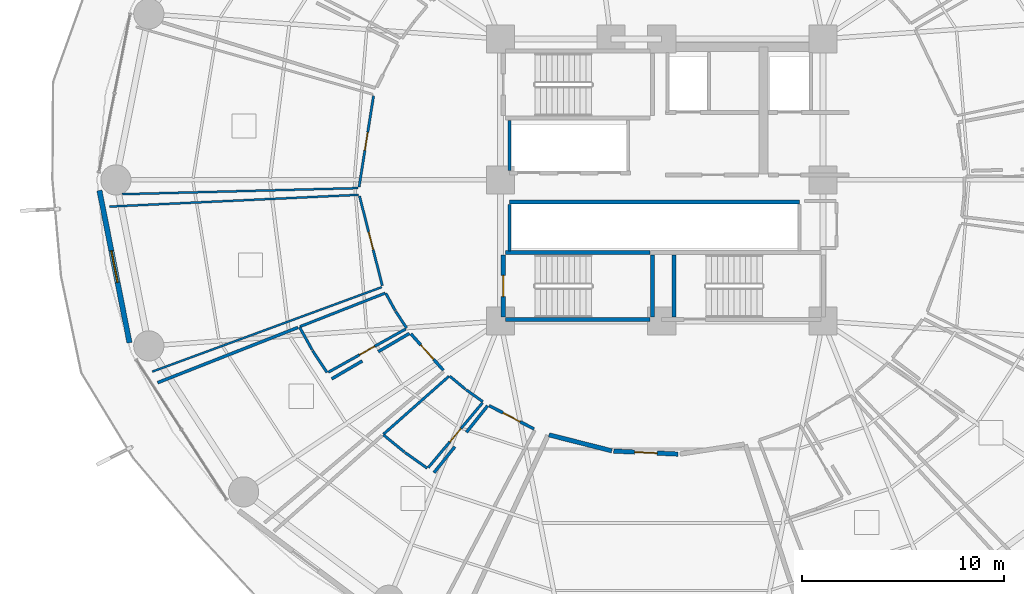
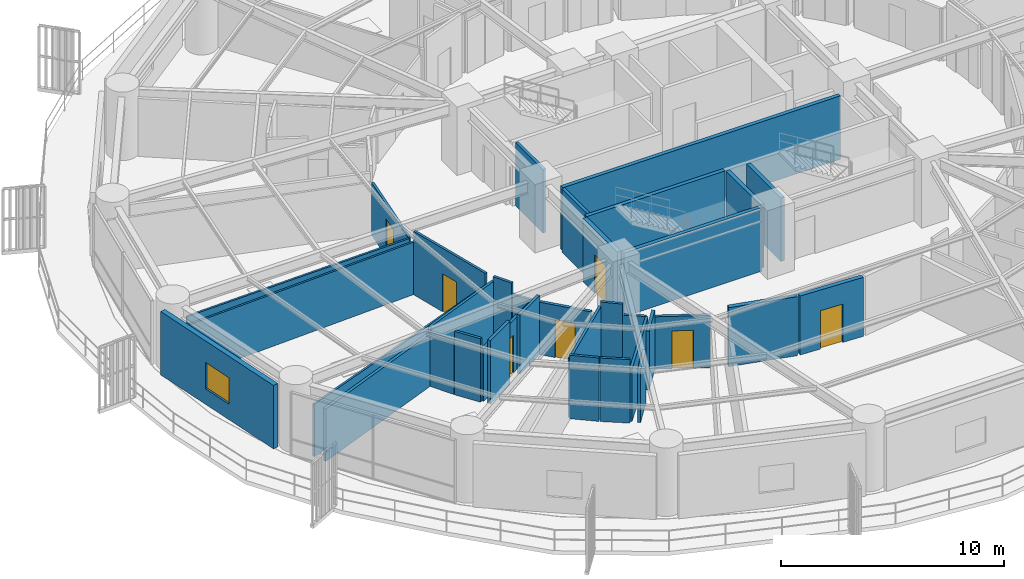
# One storey, part 23 of 33: 35 walls, 8 doors, 1 window, 9 openings.
"""IFC4 building model written with IfcOpenShell, lengths in metres."""

from ifc_helpers import new_model, si_unit, direction, frame, frame_2d, origin, place, context, subcontext, project, spatial, rectangle, extrude, material, layer, layer_set, type_object, element, fill, save


model = new_model("IFC4")

# Units and contexts
model_context = context("Model", 3, precision=1e-05, world=origin(), true_north=direction((0.0, 1.0)))
body_context = subcontext(model_context, "Body", "Model", "MODEL_VIEW")
ifc_project = project(units=[si_unit("LENGTHUNIT", "METRE"), si_unit("AREAUNIT", "SQUARE_METRE"), si_unit("VOLUMEUNIT", "CUBIC_METRE"), si_unit("PLANEANGLEUNIT", "RADIAN"), si_unit("MASSUNIT", "GRAM", prefix="KILO")], contexts=[model_context])

# Site, building, storey
site_placement = place(None, origin())
site = spatial("IfcSite", under=ifc_project, at=site_placement, CompositionType="ELEMENT")
building_placement = place(site_placement, origin())
building = spatial("IfcBuilding", under=site, at=building_placement, Name="Kelanora Arch Commons", CompositionType="ELEMENT")
storey_placement = place(building_placement, frame((0.0, 0.0, 37.5)))
storey = spatial("IfcBuildingStorey", under=building, at=storey_placement, Name="L09", CompositionType="ELEMENT", Elevation=37.5)

# Walls
ifc_material_1 = material(Name="Autoclaved aerated concrete blockwork with fire plaster", Category="masonry")
ifc_layer_1 = layer(ifc_material_1, 0.14990234375)
ifc_layer_set_1 = layer_set([ifc_layer_1], Name="Autoclaved aerated concrete blockwork with fire plaster")
wall_type_1 = type_object("IfcWallType", Name="W-COMP-150", PredefinedType="PARTITIONING", material=ifc_layer_set_1)
wall_1_placement = place(storey_placement, frame((66.4599609375, 58.47998046875, 0.0), z_axis=(0.0, 0.0, 1.0), x_axis=(0.0, 1.0, 0.0)))
element("IfcWall", 1, at=wall_1_placement, inside=storey, type_object=wall_type_1, Name="Low-Rise Lift Bank West Wall L09", PredefinedType="PARTITIONING", context=body_context, shape_type="SweptSolid", body=[
    extrude(rectangle(XDim=2.4599609375, YDim=0.14990234375, at=frame_2d((1.22998046875, 0.0))), origin(), (0.0, 0.0, 1.0), 3.47998046875),
])
wall_2_placement = place(storey_placement, frame((66.4599609375, 54.47998046875, 0.0), z_axis=(0.0, 0.0, 1.0), x_axis=(0.0, 1.0, 0.0)))
element("IfcWall", 2, at=wall_2_placement, inside=storey, type_object=wall_type_1, Name="South Lift Bank West Wall L09", PredefinedType="PARTITIONING", context=body_context, shape_type="SweptSolid", body=[
    extrude(rectangle(XDim=2.2900390625, YDim=0.14990234375, at=frame_2d((1.14501953125, 0.0))), origin(), (0.0, 0.0, 1.0), 3.47998046875),
])

# Wall, opening, door
wall_3_placement = place(storey_placement, frame((61.55908203125, 50.360107421875, 0.0), z_axis=(0.0, 0.0, 1.0), x_axis=(0.66613233843, -0.745833565682, 0.0)))
wall_3 = element("IfcWall", 3, at=wall_3_placement, inside=storey, type_object=wall_type_1, Name="Co-Living Studio L09-14 Entry Partition", PredefinedType="PARTITIONING", context=body_context, shape_type="SweptSolid", body=[
    extrude(rectangle(XDim=2.413818359375, YDim=0.14990234375, at=frame_2d((1.20703125, 0.0))), origin(), (0.0, 0.0, 1.0), 2.875),
])
opening_1_placement = place(wall_3_placement, frame((0.73193359375, 0.0, 0.0)))
opening_1 = element("IfcOpeningElement", 4, at=opening_1_placement, cuts=wall_3, Name="Opening D-CLU1", PredefinedType="OPENING", context=body_context, shape_type="SweptSolid", body=[
    extrude(rectangle(XDim=0.949951171875, YDim=2.080078125, at=frame_2d((0.47509765625, 1.0400390625))), frame((0.0, 0.0849609375, 0.0), z_axis=(0.0, -1.0, 0.0), x_axis=(1.0, 0.0, 0.0)), (0.0, 0.0, 1.0), 0.169921875),
])
ifc_material_2 = material(Name="Solid-core acoustic timber cluster entry fire door", Category="wood")
door_type_1 = type_object("IfcDoorType", Name="D-CLU-95", OperationType="NOTDEFINED", PredefinedType="DOOR", material=ifc_material_2)
door_1_placement = place(opening_1_placement, origin())
door_1 = element("IfcDoor", 5, at=door_1_placement, inside=storey, type_object=door_type_1, Name="Co-Living Studio L09-14 Door", OperationType="SINGLE_SWING_RIGHT", OverallHeight=2.080078125, OverallWidth=0.949951171875, PredefinedType="DOOR", context=body_context, shape_type="SweptSolid", body=[
    extrude(rectangle(XDim=0.949951171875, YDim=2.080078125, at=frame_2d((0.47509765625, 1.0400390625))), frame((0.0, 0.02490234375, 0.0), z_axis=(0.0, -1.0, 0.0), x_axis=(1.0, 0.0, 0.0)), (0.0, 0.0, 1.0), 0.050048828125),
])
fill(opening_1, door_1)

wall_4_placement = place(storey_placement, frame((65.4453125, 46.79931640625, 0.0), z_axis=(0.0, 0.0, 1.0), x_axis=(0.887232772645, -0.461322021093, 0.0)))
wall_4 = element("IfcWall", 6, at=wall_4_placement, inside=storey, type_object=wall_type_1, Name="Co-Living Studio L09-15 Entry Partition", PredefinedType="PARTITIONING", context=body_context, shape_type="SweptSolid", body=[
    extrude(rectangle(XDim=2.502685546875, YDim=0.14990234375, at=frame_2d((1.25146484375, 0.0))), origin(), (0.0, 0.0, 1.0), 2.875),
])
opening_2_placement = place(wall_4_placement, frame((0.77587890625, 0.0, 0.0)))
opening_2 = element("IfcOpeningElement", 7, at=opening_2_placement, cuts=wall_4, Name="Opening D-CLU1", PredefinedType="OPENING", context=body_context, shape_type="SweptSolid", body=[
    extrude(rectangle(XDim=0.949951171875, YDim=2.080078125, at=frame_2d((0.47509765625, 1.0400390625))), frame((0.0, 0.0849609375, 0.0), z_axis=(0.0, -1.0, 0.0), x_axis=(1.0, 0.0, 0.0)), (0.0, 0.0, 1.0), 0.169921875),
])
door_2_placement = place(opening_2_placement, origin())
door_2 = element("IfcDoor", 8, at=door_2_placement, inside=storey, type_object=door_type_1, Name="Co-Living Studio L09-15 Door", OperationType="SINGLE_SWING_RIGHT", OverallHeight=2.080078125, OverallWidth=0.949951171875, PredefinedType="DOOR", context=body_context, shape_type="SweptSolid", body=[
    extrude(rectangle(XDim=0.949951171875, YDim=2.080078125, at=frame_2d((0.47509765625, 1.0400390625))), frame((0.0, 0.02490234375, 0.0), z_axis=(0.0, -1.0, 0.0), x_axis=(1.0, 0.0, 0.0)), (0.0, 0.0, 1.0), 0.050048828125),
])
fill(opening_2, door_2)

# Walls
wall_5_placement = place(storey_placement, frame((48.9921875, 47.940673828125, 0.0), z_axis=(0.0, 0.0, 1.0), x_axis=(0.930559753492, 0.366140062245, 0.0)))
element("IfcWall", 9, at=wall_5_placement, inside=storey, type_object=wall_type_1, Name="Co-Living Studio L09-14 Enclosure Partition 5", PredefinedType="PARTITIONING", context=body_context, shape_type="SweptSolid", body=[
    extrude(rectangle(XDim=7.480224609375, YDim=0.14990234375, at=frame_2d((3.740234375, 0.0))), origin(), (0.0, 0.0, 1.0), 2.875),
])
wall_6_placement = place(storey_placement, frame((57.62548828125, 48.128173828125, 0.0), z_axis=(0.0, 0.0, 1.0), x_axis=(0.863239026978, 0.50479538657, 0.0)))
element("IfcWall", 10, at=wall_6_placement, inside=storey, type_object=wall_type_1, Name="Co-Living Studio L09-14 Enclosure Partition 7", PredefinedType="PARTITIONING", context=body_context, shape_type="SweptSolid", body=[
    extrude(rectangle(XDim=1.756591796875, YDim=0.14990234375, at=frame_2d((0.87841796875, 0.0))), origin(), (0.0, 0.0, 1.0), 3.47998046875),
])
wall_7_placement = place(storey_placement, frame((59.93603515625, 49.479248046875, 0.0), z_axis=(0.0, 0.0, 1.0), x_axis=(0.863250265136, 0.504776167963, 0.0)))
element("IfcWall", 11, at=wall_7_placement, inside=storey, type_object=wall_type_1, Name="Co-Living Studio L09-14 Enclosure Partition 7", PredefinedType="PARTITIONING", context=body_context, shape_type="SweptSolid", body=[
    extrude(rectangle(XDim=1.7939453125, YDim=0.14990234375, at=frame_2d((0.89697265625, 0.0))), origin(), (0.0, 0.0, 1.0), 3.235107421875),
])
wall_8_placement = place(storey_placement, frame((62.7080078125, 43.478271484375, 0.0), z_axis=(0.0, 0.0, 1.0), x_axis=(0.62551026357, 0.780215938166, 0.0)))
element("IfcWall", 12, at=wall_8_placement, inside=storey, type_object=wall_type_1, Name="Co-Living Studio L09-15 Enclosure Partition 7", PredefinedType="PARTITIONING", context=body_context, shape_type="SweptSolid", body=[
    extrude(rectangle(XDim=1.642822265625, YDim=0.14990234375, at=frame_2d((0.8212890625, 0.0))), origin(), (0.0, 0.0, 1.0), 2.875),
])
wall_9_placement = place(storey_placement, frame((64.31103515625, 45.478271484375, 0.0), z_axis=(0.0, 0.0, 1.0), x_axis=(0.625347243109, 0.780346606026, 0.0)))
element("IfcWall", 13, at=wall_9_placement, inside=storey, type_object=wall_type_1, Name="Co-Living Studio L09-15 Enclosure Partition 7", PredefinedType="PARTITIONING", context=body_context, shape_type="SweptSolid", body=[
    extrude(rectangle(XDim=1.6884765625, YDim=0.14990234375, at=frame_2d((0.84423828125, 0.0))), origin(), (0.0, 0.0, 1.0), 3.235107421875),
])

# Wall, opening, window
ifc_material_3 = material(Name="Precast concrete C40/50 with terracotta rainscreen", Category="masonry")
ifc_layer_2 = layer(ifc_material_3, 0.260009765625)
ifc_layer_set_2 = layer_set([ifc_layer_2], Name="Precast concrete C40/50 with terracotta rainscreen")
wall_type_2 = type_object("IfcWallType", Name="W-EXT-TC", PredefinedType="SOLIDWALL", material=ifc_layer_set_2)
wall_10_placement = place(storey_placement, frame((46.103515625, 57.4765625, 0.0), z_axis=(0.0, 0.0, 1.0), x_axis=(0.193726159581, -0.98105564322, 0.0)))
wall_10 = element("IfcWall", 14, at=wall_10_placement, inside=storey, type_object=wall_type_2, Name="Terracotta Exterior Wall L09-B09", PredefinedType="SOLIDWALL", context=body_context, shape_type="SweptSolid", body=[
    extrude(rectangle(XDim=7.70263671875, YDim=0.260009765625, at=frame_2d((3.851318359375, 0.0))), origin(), (0.0, 0.0, 1.0), 3.47509765625),
])
opening_3_placement = place(wall_10_placement, frame((3.051025390625, 0.0, 0.85009765625)))
opening_3 = element("IfcOpeningElement", 15, at=opening_3_placement, cuts=wall_10, Name="Opening WN-01", PredefinedType="OPENING", context=body_context, shape_type="SweptSolid", body=[
    extrude(rectangle(XDim=1.60009765625, YDim=1.449951171875, at=frame_2d((0.800048828125, 0.72509765625))), frame((0.0, 0.14013671875, 0.0), z_axis=(0.0, -1.0, 0.0), x_axis=(1.0, 0.0, 0.0)), (0.0, 0.0, 1.0), 0.280029296875),
])
ifc_material_4 = material(Name="Terracotta-anodised aluminium frame with operable low-E glazing", Category="masonry")
window_type = type_object("IfcWindowType", Name="WIN-CL-18", PartitioningType="DOUBLE_PANEL_VERTICAL", PredefinedType="WINDOW", material=ifc_material_4)
window_placement = place(opening_3_placement, origin())
window = element("IfcWindow", 16, at=window_placement, inside=storey, type_object=window_type, Name="Co-Living Operable Window L09-B09", OverallHeight=1.449951171875, OverallWidth=1.60009765625, PartitioningType="SINGLE_PANEL", PredefinedType="WINDOW", context=body_context, shape_type="SweptSolid", body=[
    extrude(rectangle(XDim=1.60009765625, YDim=1.449951171875, at=frame_2d((0.800048828125, 0.72509765625))), frame((0.0, 0.030029296875, 0.0), z_axis=(0.0, -1.0, 0.0), x_axis=(1.0, 0.0, 0.0)), (0.0, 0.0, 1.0), 0.06005859375),
])
fill(opening_3, window)

# Walls
ifc_material_5 = material(Name="Concrete C40/50", Category="concrete")
ifc_layer_3 = layer(ifc_material_5, 0.199951171875)
ifc_layer_set_3 = layer_set([ifc_layer_3], Name="Concrete C40/50")
wall_type_3 = type_object("IfcWallType", Name="W-FFL-200", PredefinedType="SOLIDWALL", material=ifc_layer_set_3)
wall_11_placement = place(storey_placement, frame((66.449951171875, 56.89990234375, 0.0), z_axis=(0.0, 0.0, 1.0), x_axis=(1.0, 0.0, 0.0)))
element("IfcWall", 17, at=wall_11_placement, inside=storey, type_object=wall_type_3, Name="Mid/High/Express Lift Shaft Front L09", PredefinedType="SOLIDWALL", context=body_context, shape_type="SweptSolid", body=[
    extrude(rectangle(XDim=14.400146484375, YDim=0.199951171875, at=frame_2d((7.2001953125, 0.0))), origin(), (0.0, 0.0, 1.0), 3.47998046875),
])
ifc_material_6 = material(Name="Lightweight fire-rated acoustic stud partition")
ifc_layer_4 = layer(ifc_material_6, 0.10009765625)
ifc_layer_set_4 = layer_set([ifc_layer_4], Name="Lightweight fire-rated acoustic stud partition")
wall_type_4 = type_object("IfcWallType", Name="W-PART-100", PredefinedType="PARTITIONING", material=ifc_layer_set_4)
wall_12_placement = place(storey_placement, frame((58.93701171875, 57.594970703125, 0.0), z_axis=(0.0, 0.0, 1.0), x_axis=(-0.999665498024, -0.025862947642, 0.0)))
element("IfcWall", 18, at=wall_12_placement, inside=storey, type_object=wall_type_4, Name="Quiet Seminar Study Room L09-12 Enclosure Partition 2", PredefinedType="PARTITIONING", context=body_context, shape_type="SweptSolid", body=[
    extrude(rectangle(XDim=11.705322265625, YDim=0.10009765625, at=frame_2d((5.8525390625, 0.0))), origin(), (0.0, 0.0, 1.0), 2.875),
])
wall_13_placement = place(storey_placement, frame((60.117431640625, 52.68212890625, 0.0), z_axis=(0.0, 0.0, 1.0), x_axis=(-0.93843577561, -0.34545375241, 0.0)))
element("IfcWall", 19, at=wall_13_placement, inside=storey, type_object=wall_type_4, Name="Quiet Seminar Study Room L09-13 Enclosure Partition 2", PredefinedType="PARTITIONING", context=body_context, shape_type="SweptSolid", body=[
    extrude(rectangle(XDim=12.1416015625, YDim=0.10009765625, at=frame_2d((6.07080078125, 0.0))), origin(), (0.0, 0.0, 1.0), 2.875),
])
wall_14_placement = place(storey_placement, frame((46.60009765625, 56.677978515625, 0.0), z_axis=(0.0, 0.0, 1.0), x_axis=(0.998887928108, 0.04714771554, 0.0)))
element("IfcWall", 20, at=wall_14_placement, inside=storey, type_object=wall_type_4, Name="Quiet Seminar Study Room L09-13 Enclosure Partition 4", PredefinedType="PARTITIONING", context=body_context, shape_type="SweptSolid", body=[
    extrude(rectangle(XDim=12.365478515625, YDim=0.10009765625, at=frame_2d((6.1826171875, 0.0))), origin(), (0.0, 0.0, 1.0), 2.875),
])

# Wall, opening, door
ifc_material_7 = material(Name="Acoustic twin-stud fire-rated gypsum partition")
ifc_layer_5 = layer(ifc_material_7, 0.1201171875)
ifc_layer_set_5 = layer_set([ifc_layer_5], Name="Acoustic twin-stud fire-rated gypsum partition")
wall_type_5 = type_object("IfcWallType", Name="W-PART-120", PredefinedType="PARTITIONING", material=ifc_layer_set_5)
wall_15_placement = place(storey_placement, frame((59.70458984375, 62.17578125, 0.0), z_axis=(0.0, 0.0, 1.0), x_axis=(-0.156921147042, -0.987611134815, 0.0)))
wall_15 = element("IfcWall", 21, at=wall_15_placement, inside=storey, type_object=wall_type_5, Name="Quiet Seminar Study Room L09-12 Entry Partition", PredefinedType="PARTITIONING", context=body_context, shape_type="SweptSolid", body=[
    extrude(rectangle(XDim=4.5771484375, YDim=0.1201171875, at=frame_2d((2.28857421875, 0.0))), origin(), (0.0, 0.0, 1.0), 2.875),
])
opening_4_placement = place(wall_15_placement, frame((1.839111328125, 0.0, 0.0)))
opening_4 = element("IfcOpeningElement", 22, at=opening_4_placement, cuts=wall_15, Name="Opening D-RM1", PredefinedType="OPENING", context=body_context, shape_type="SweptSolid", body=[
    extrude(rectangle(XDim=0.89990234375, YDim=2.080078125, at=frame_2d((0.449951171875, 1.0400390625))), frame((0.0, 0.070068359375, 0.0), z_axis=(0.0, -1.0, 0.0), x_axis=(1.0, 0.0, 0.0)), (0.0, 0.0, 1.0), 0.14013671875),
])
ifc_material_8 = material(Name="Acoustic fire-rated timber study and lounge door", Category="wood")
door_type_2 = type_object("IfcDoorType", Name="D-ROOM-90", OperationType="NOTDEFINED", PredefinedType="DOOR", material=ifc_material_8)
door_3_placement = place(opening_4_placement, origin())
door_3 = element("IfcDoor", 23, at=door_3_placement, inside=storey, type_object=door_type_2, Name="Quiet Seminar Study Room L09-12 Door", OperationType="SINGLE_SWING_LEFT", OverallHeight=2.080078125, OverallWidth=0.89990234375, PredefinedType="DOOR", context=body_context, shape_type="SweptSolid", body=[
    extrude(rectangle(XDim=0.89990234375, YDim=2.080078125, at=frame_2d((0.449951171875, 1.0400390625))), frame((0.0, 0.02490234375, 0.0), z_axis=(0.0, -1.0, 0.0), x_axis=(1.0, 0.0, 0.0)), (0.0, 0.0, 1.0), 0.050048828125),
])
fill(opening_4, door_3)

wall_16_placement = place(storey_placement, frame((59.0068359375, 57.204833984375, 0.0), z_axis=(0.0, 0.0, 1.0), x_axis=(0.24676097294, -0.969076375852, 0.0)))
wall_16 = element("IfcWall", 24, at=wall_16_placement, inside=storey, type_object=wall_type_5, Name="Quiet Seminar Study Room L09-13 Entry Partition", PredefinedType="PARTITIONING", context=body_context, shape_type="SweptSolid", body=[
    extrude(rectangle(XDim=4.5927734375, YDim=0.1201171875, at=frame_2d((2.29638671875, 0.0))), origin(), (0.0, 0.0, 1.0), 3.47998046875),
])
opening_5_placement = place(wall_16_placement, frame((1.845947265625, 0.0, 0.0)))
opening_5 = element("IfcOpeningElement", 25, at=opening_5_placement, cuts=wall_16, Name="Opening D-RM1", PredefinedType="OPENING", context=body_context, shape_type="SweptSolid", body=[
    extrude(rectangle(XDim=0.89990234375, YDim=2.080078125, at=frame_2d((0.449951171875, 1.0400390625))), frame((0.0, 0.070068359375, 0.0), z_axis=(0.0, -1.0, 0.0), x_axis=(1.0, 0.0, 0.0)), (0.0, 0.0, 1.0), 0.14013671875),
])
door_4_placement = place(opening_5_placement, origin())
door_4 = element("IfcDoor", 26, at=door_4_placement, inside=storey, type_object=door_type_2, Name="Quiet Seminar Study Room L09-13 Door", OperationType="SINGLE_SWING_RIGHT", OverallHeight=2.080078125, OverallWidth=0.89990234375, PredefinedType="DOOR", context=body_context, shape_type="SweptSolid", body=[
    extrude(rectangle(XDim=0.89990234375, YDim=2.080078125, at=frame_2d((0.449951171875, 1.0400390625))), frame((0.0, 0.02490234375, 0.0), z_axis=(0.0, -1.0, 0.0), x_axis=(1.0, 0.0, 0.0)), (0.0, 0.0, 1.0), 0.050048828125),
])
fill(opening_5, door_4)

ifc_layer_6 = layer(ifc_material_5, 0.219970703125)
ifc_layer_set_6 = layer_set([ifc_layer_6], Name="Concrete C40/50")
wall_type_6 = type_object("IfcWallType", Name="W-REF-200", PredefinedType="SOLIDWALL", material=ifc_layer_set_6)
wall_17_placement = place(storey_placement, frame((71.621826171875, 44.547119140625, 0.0), z_axis=(0.0, 0.0, 1.0), x_axis=(0.998877795438, -0.0473619022, 0.0)))
wall_17 = element("IfcWall", 27, at=wall_17_placement, inside=storey, type_object=wall_type_6, Name="Two-Hour Fire Refuge Holding Room L09 Entry Partition", PredefinedType="SOLIDWALL", context=body_context, shape_type="SweptSolid", body=[
    extrude(rectangle(XDim=3.196044921875, YDim=0.219970703125, at=frame_2d((1.59814453125, 0.0))), origin(), (0.0, 0.0, 1.0), 3.235107421875),
])
opening_6_placement = place(wall_17_placement, frame((1.0380859375, 0.0, 0.0)))
opening_6 = element("IfcOpeningElement", 28, at=opening_6_placement, cuts=wall_17, Name="Opening D-REF1", PredefinedType="OPENING", context=body_context, shape_type="SweptSolid", body=[
    extrude(rectangle(XDim=1.1201171875, YDim=2.10009765625, at=frame_2d((0.56005859375, 1.050048828125))), frame((0.0, 0.1201171875, 0.0), z_axis=(0.0, -1.0, 0.0), x_axis=(1.0, 0.0, 0.0)), (0.0, 0.0, 1.0), 0.239990234375),
])
ifc_material_9 = material(Name="Two-hour fire refuge holding room door")
door_type_3 = type_object("IfcDoorType", Name="D-REF-110", OperationType="NOTDEFINED", PredefinedType="DOOR", material=ifc_material_9)
door_5_placement = place(opening_6_placement, origin())
door_5 = element("IfcDoor", 29, at=door_5_placement, inside=storey, type_object=door_type_3, Name="Two-Hour Fire Refuge Holding Room L09 Door", OperationType="SINGLE_SWING_RIGHT", OverallHeight=2.10009765625, OverallWidth=1.1201171875, PredefinedType="DOOR", context=body_context, shape_type="SweptSolid", body=[
    extrude(rectangle(XDim=1.1201171875, YDim=2.10009765625, at=frame_2d((0.56005859375, 1.050048828125))), frame((0.0, 0.02490234375, 0.0), z_axis=(0.0, -1.0, 0.0), x_axis=(1.0, 0.0, 0.0)), (0.0, 0.0, 1.0), 0.050048828125),
])
fill(opening_6, door_5)

# Walls
wall_18_placement = place(storey_placement, frame((68.40869140625, 45.35205078125, 0.0), z_axis=(0.0, 0.0, 1.0), x_axis=(0.969137775127, -0.24651972096, 0.0)))
element("IfcWall", 30, at=wall_18_placement, inside=storey, type_object=wall_type_6, Name="Two-Hour Fire Refuge Holding Room L09 Enclosure Partition 1", PredefinedType="SOLIDWALL", context=body_context, shape_type="SweptSolid", body=[
    extrude(rectangle(XDim=3.213623046875, YDim=0.219970703125, at=frame_2d((1.60693359375, 0.0))), origin(), (0.0, 0.0, 1.0), 3.235107421875),
])
ifc_layer_7 = layer(ifc_material_5, 0.199951171875)
ifc_layer_set_7 = layer_set([ifc_layer_7], Name="Concrete C40/50")
wall_type_7 = type_object("IfcWallType", Name="W-STAIR-200", PredefinedType="SHEAR", material=ifc_layer_set_7)
wall_19_placement = place(storey_placement, frame((74.6201171875, 54.27001953125, 0.0), z_axis=(0.0, 0.0, 1.0), x_axis=(0.0, -1.0, 0.0)))
element("IfcWall", 31, at=wall_19_placement, inside=storey, type_object=wall_type_7, Name="Stair ST-T2 Shaft Wall W L09", PredefinedType="SHEAR", context=body_context, shape_type="SweptSolid", body=[
    extrude(rectangle(XDim=3.070068359375, YDim=0.199951171875, at=frame_2d((1.53515625, 0.0))), origin(), (0.0, 0.0, 1.0), 3.489990234375),
])
wall_20_placement = place(storey_placement, frame((66.260009765625, 51.080078125, 0.0), z_axis=(0.0, 0.0, 1.0), x_axis=(1.0, 0.0, 0.0)))
element("IfcWall", 32, at=wall_20_placement, inside=storey, type_object=wall_type_7, Name="Stair ST-T3 Shaft Wall S L09", PredefinedType="SHEAR", context=body_context, shape_type="SweptSolid", body=[
    extrude(rectangle(XDim=7.159912109375, YDim=0.199951171875, at=frame_2d((3.580078125, 0.0))), origin(), (0.0, 0.0, 1.0), 3.489990234375),
])
wall_21_placement = place(storey_placement, frame((73.5400390625, 51.199951171875, 0.0), z_axis=(0.0, 0.0, 1.0), x_axis=(0.0, 1.0, 0.0)))
element("IfcWall", 33, at=wall_21_placement, inside=storey, type_object=wall_type_7, Name="Stair ST-T3 Shaft Wall E L09", PredefinedType="SHEAR", context=body_context, shape_type="SweptSolid", body=[
    extrude(rectangle(XDim=3.070068359375, YDim=0.199951171875, at=frame_2d((1.53515625, 0.0))), origin(), (0.0, 0.0, 1.0), 3.489990234375),
])
wall_22_placement = place(storey_placement, frame((73.419921875, 54.389892578125, 0.0), z_axis=(0.0, 0.0, 1.0), x_axis=(-1.0, 0.0, 0.0)))
element("IfcWall", 34, at=wall_22_placement, inside=storey, type_object=wall_type_7, Name="Stair ST-T3 Shaft Wall N L09", PredefinedType="SHEAR", context=body_context, shape_type="SweptSolid", body=[
    extrude(rectangle(XDim=7.159912109375, YDim=0.199951171875, at=frame_2d((3.580078125, 0.0))), origin(), (0.0, 0.0, 1.0), 3.489990234375),
])

# Wall, opening, door
wall_23_placement = place(storey_placement, frame((66.139892578125, 54.27001953125, 0.0), z_axis=(0.0, 0.0, 1.0), x_axis=(0.0, -1.0, 0.0)))
wall_23 = element("IfcWall", 35, at=wall_23_placement, inside=storey, type_object=wall_type_7, Name="Stair ST-T3 Shaft Wall W L09", PredefinedType="SHEAR", context=body_context, shape_type="SweptSolid", body=[
    extrude(rectangle(XDim=3.070068359375, YDim=0.199951171875, at=frame_2d((1.53515625, 0.0))), origin(), (0.0, 0.0, 1.0), 3.489990234375),
])
opening_7_placement = place(wall_23_placement, frame((1.010009765625, 0.0, 0.0)))
opening_7 = element("IfcOpeningElement", 36, at=opening_7_placement, cuts=wall_23, Name="Opening D-ST1", PredefinedType="OPENING", context=body_context, shape_type="SweptSolid", body=[
    extrude(rectangle(XDim=1.050048828125, YDim=2.10009765625, at=frame_2d((0.52490234375, 1.050048828125))), frame((0.0, 0.10986328125, 0.0), z_axis=(0.0, -1.0, 0.0), x_axis=(1.0, 0.0, 0.0)), (0.0, 0.0, 1.0), 0.219970703125),
])
ifc_material_10 = material(Name="Steel fire-rated stairwell escape door", Category="steel")
door_type_4 = type_object("IfcDoorType", Name="D-STAIR-110", OperationType="NOTDEFINED", PredefinedType="DOOR", material=ifc_material_10)
door_6_placement = place(opening_7_placement, origin())
door_6 = element("IfcDoor", 37, at=door_6_placement, inside=storey, type_object=door_type_4, Name="Stair ST-T3 Escape Door L09", OperationType="SINGLE_SWING_LEFT", OverallHeight=2.10009765625, OverallWidth=1.050048828125, PredefinedType="DOOR", context=body_context, shape_type="SweptSolid", body=[
    extrude(rectangle(XDim=1.050048828125, YDim=2.10009765625, at=frame_2d((0.52490234375, 1.050048828125))), frame((0.0, 0.02490234375, 0.0), z_axis=(0.0, -1.0, 0.0), x_axis=(1.0, 0.0, 0.0)), (0.0, 0.0, 1.0), 0.050048828125),
])
fill(opening_7, door_6)

ifc_material_11 = material(Name="Moisture-resistant fire-rated cement-board plumbing wall")
ifc_layer_8 = layer(ifc_material_11, 0.1298828125)
ifc_layer_set_8 = layer_set([ifc_layer_8], Name="Moisture-resistant fire-rated cement-board plumbing wall")
wall_type_8 = type_object("IfcWallType", Name="W-WET-120", PredefinedType="PLUMBINGWALL", material=ifc_layer_set_8)
wall_24_placement = place(storey_placement, frame((61.301513671875, 50.604736328125, 0.0), z_axis=(0.0, 0.0, 1.0), x_axis=(-0.872901100795, -0.487897190226, 0.0)))
wall_24 = element("IfcWall", 38, at=wall_24_placement, inside=storey, type_object=wall_type_8, Name="En-Suite Shower WC L09-14 Entry Partition", PredefinedType="PLUMBINGWALL", context=body_context, shape_type="SweptSolid", body=[
    extrude(rectangle(XDim=4.4013671875, YDim=0.1298828125, at=frame_2d((2.20068359375, 0.0))), origin(), (0.0, 0.0, 1.0), 2.875),
])
opening_8_placement = place(wall_24_placement, frame((1.77099609375, 0.0, 0.0)))
opening_8 = element("IfcOpeningElement", 39, at=opening_8_placement, cuts=wall_24, Name="Opening D-BT1", PredefinedType="OPENING", context=body_context, shape_type="SweptSolid", body=[
    extrude(rectangle(XDim=0.860107421875, YDim=2.050048828125, at=frame_2d((0.43017578125, 1.02490234375))), frame((0.0, 0.074951171875, 0.0), z_axis=(0.0, -1.0, 0.0), x_axis=(1.0, 0.0, 0.0)), (0.0, 0.0, 1.0), 0.14990234375),
])
ifc_material_12 = material(Name="Moisture-sealed fire-rated accessible bathroom door")
door_type_5 = type_object("IfcDoorType", Name="D-BATH-85", OperationType="NOTDEFINED", PredefinedType="DOOR", material=ifc_material_12)
door_7_placement = place(opening_8_placement, origin())
door_7 = element("IfcDoor", 40, at=door_7_placement, inside=storey, type_object=door_type_5, Name="En-Suite Shower WC L09-14 Door", OperationType="SINGLE_SWING_LEFT", OverallHeight=2.050048828125, OverallWidth=0.860107421875, PredefinedType="DOOR", context=body_context, shape_type="SweptSolid", body=[
    extrude(rectangle(XDim=0.860107421875, YDim=2.050048828125, at=frame_2d((0.43017578125, 1.02490234375))), frame((0.0, 0.02490234375, 0.0), z_axis=(0.0, -1.0, 0.0), x_axis=(1.0, 0.0, 0.0)), (0.0, 0.0, 1.0), 0.050048828125),
])
fill(opening_8, door_7)

wall_25_placement = place(storey_placement, frame((65.1083984375, 46.93896484375, 0.0), z_axis=(0.0, 0.0, 1.0), x_axis=(-0.642053950699, -0.766659457903, 0.0)))
wall_25 = element("IfcWall", 41, at=wall_25_placement, inside=storey, type_object=wall_type_8, Name="En-Suite Shower WC L09-15 Entry Partition", PredefinedType="PLUMBINGWALL", context=body_context, shape_type="SweptSolid", body=[
    extrude(rectangle(XDim=4.18310546875, YDim=0.1298828125, at=frame_2d((2.091552734375, 0.0))), origin(), (0.0, 0.0, 1.0), 2.875),
])
opening_9_placement = place(wall_25_placement, frame((1.662109375, 0.0, 0.0)))
opening_9 = element("IfcOpeningElement", 42, at=opening_9_placement, cuts=wall_25, Name="Opening D-BT1", PredefinedType="OPENING", context=body_context, shape_type="SweptSolid", body=[
    extrude(rectangle(XDim=0.860107421875, YDim=2.050048828125, at=frame_2d((0.43017578125, 1.02490234375))), frame((0.0, 0.074951171875, 0.0), z_axis=(0.0, -1.0, 0.0), x_axis=(1.0, 0.0, 0.0)), (0.0, 0.0, 1.0), 0.14990234375),
])
door_8_placement = place(opening_9_placement, origin())
door_8 = element("IfcDoor", 43, at=door_8_placement, inside=storey, type_object=door_type_5, Name="En-Suite Shower WC L09-15 Door", OperationType="SINGLE_SWING_LEFT", OverallHeight=2.050048828125, OverallWidth=0.860107421875, PredefinedType="DOOR", context=body_context, shape_type="SweptSolid", body=[
    extrude(rectangle(XDim=0.860107421875, YDim=2.050048828125, at=frame_2d((0.43017578125, 1.02490234375))), frame((0.0, 0.02490234375, 0.0), z_axis=(0.0, -1.0, 0.0), x_axis=(1.0, 0.0, 0.0)), (0.0, 0.0, 1.0), 0.050048828125),
])
fill(opening_9, door_8)

# Walls
wall_26_placement = place(storey_placement, frame((60.3115234375, 52.37353515625, 0.0), z_axis=(0.0, 0.0, 1.0), x_axis=(0.479845253158, -0.87735314043, 0.0)))
element("IfcWall", 44, at=wall_26_placement, inside=storey, type_object=wall_type_8, Name="En-Suite Shower WC L09-14 Enclosure Partition 1", PredefinedType="PLUMBINGWALL", context=body_context, shape_type="SweptSolid", body=[
    extrude(rectangle(XDim=0.9814453125, YDim=0.1298828125, at=frame_2d((0.49072265625, 0.0))), origin(), (0.0, 0.0, 1.0), 3.47998046875),
])
wall_27_placement = place(storey_placement, frame((60.802978515625, 51.478271484375, 0.0), z_axis=(0.0, 0.0, 1.0), x_axis=(0.5464636979, -0.837482791989, 0.0)))
element("IfcWall", 45, at=wall_27_placement, inside=storey, type_object=wall_type_8, Name="En-Suite Shower WC L09-14 Enclosure Partition 2", PredefinedType="PLUMBINGWALL", context=body_context, shape_type="SweptSolid", body=[
    extrude(rectangle(XDim=0.98828125, YDim=0.1298828125, at=frame_2d((0.494140625, 0.0))), origin(), (0.0, 0.0, 1.0), 2.875),
])
wall_28_placement = place(storey_placement, frame((57.39599609375, 48.444580078125, 0.0), z_axis=(0.0, 0.0, 1.0), x_axis=(-0.55039970348, 0.834901291417, 0.0)))
element("IfcWall", 46, at=wall_28_placement, inside=storey, type_object=wall_type_8, Name="En-Suite Shower WC L09-14 Enclosure Partition 4", PredefinedType="PLUMBINGWALL", context=body_context, shape_type="SweptSolid", body=[
    extrude(rectangle(XDim=1.29931640625, YDim=0.1298828125, at=frame_2d((0.649658203125, 0.0))), origin(), (0.0, 0.0, 1.0), 3.47998046875),
])
wall_29_placement = place(storey_placement, frame((56.660400390625, 49.5634765625, 0.0), z_axis=(0.0, 0.0, 1.0), x_axis=(-0.483811881146, 0.87517201947, 0.0)))
element("IfcWall", 47, at=wall_29_placement, inside=storey, type_object=wall_type_8, Name="En-Suite Shower WC L09-14 Enclosure Partition 5", PredefinedType="PLUMBINGWALL", context=body_context, shape_type="SweptSolid", body=[
    extrude(rectangle(XDim=1.291259765625, YDim=0.1298828125, at=frame_2d((0.6455078125, 0.0))), origin(), (0.0, 0.0, 1.0), 2.875),
])
wall_30_placement = place(storey_placement, frame((56.044677734375, 50.71826171875, 0.0), z_axis=(0.0, 0.0, 1.0), x_axis=(0.930729338011, 0.365708763041, 0.0)))
element("IfcWall", 48, at=wall_30_placement, inside=storey, type_object=wall_type_8, Name="En-Suite Shower WC L09-14 Enclosure Partition 6", PredefinedType="PLUMBINGWALL", context=body_context, shape_type="SweptSolid", body=[
    extrude(rectangle(XDim=4.55419921875, YDim=0.1298828125, at=frame_2d((2.277099609375, 0.0))), origin(), (0.0, 0.0, 1.0), 3.235107421875),
])
wall_31_placement = place(storey_placement, frame((63.48046875, 48.265380859375, 0.0), z_axis=(0.0, 0.0, 1.0), x_axis=(0.770536510973, -0.637395862284, 0.0)))
element("IfcWall", 49, at=wall_31_placement, inside=storey, type_object=wall_type_8, Name="En-Suite Shower WC L09-15 Enclosure Partition 1", PredefinedType="PLUMBINGWALL", context=body_context, shape_type="SweptSolid", body=[
    extrude(rectangle(XDim=1.017822265625, YDim=0.1298828125, at=frame_2d((0.5087890625, 0.0))), origin(), (0.0, 0.0, 1.0), 3.47998046875),
])
wall_32_placement = place(storey_placement, frame((64.29638671875, 47.59228515625, 0.0), z_axis=(0.0, 0.0, 1.0), x_axis=(0.813813924966, -0.581125541972, 0.0)))
element("IfcWall", 50, at=wall_32_placement, inside=storey, type_object=wall_type_8, Name="En-Suite Shower WC L09-15 Enclosure Partition 2", PredefinedType="PLUMBINGWALL", context=body_context, shape_type="SweptSolid", body=[
    extrude(rectangle(XDim=1.025146484375, YDim=0.1298828125, at=frame_2d((0.5126953125, 0.0))), origin(), (0.0, 0.0, 1.0), 2.875),
])
wall_33_placement = place(storey_placement, frame((62.36767578125, 43.697509765625, 0.0), z_axis=(0.0, 0.0, 1.0), x_axis=(-0.816732851218, 0.577015987422, 0.0)))
element("IfcWall", 51, at=wall_33_placement, inside=storey, type_object=wall_type_8, Name="En-Suite Shower WC L09-15 Enclosure Partition 4", PredefinedType="PLUMBINGWALL", context=body_context, shape_type="SweptSolid", body=[
    extrude(rectangle(XDim=1.353515625, YDim=0.1298828125, at=frame_2d((0.6767578125, 0.0))), origin(), (0.0, 0.0, 1.0), 3.47998046875),
])
wall_34_placement = place(storey_placement, frame((61.23046875, 44.502685546875, 0.0), z_axis=(0.0, 0.0, 1.0), x_axis=(-0.773503213086, 0.633792378737, 0.0)))
element("IfcWall", 52, at=wall_34_placement, inside=storey, type_object=wall_type_8, Name="En-Suite Shower WC L09-15 Enclosure Partition 5", PredefinedType="PLUMBINGWALL", context=body_context, shape_type="SweptSolid", body=[
    extrude(rectangle(XDim=1.342041015625, YDim=0.1298828125, at=frame_2d((0.6708984375, 0.0))), origin(), (0.0, 0.0, 1.0), 3.47998046875),
])
wall_35_placement = place(storey_placement, frame((60.19189453125, 45.37939453125, 0.0), z_axis=(0.0, 0.0, 1.0), x_axis=(0.748639888461, 0.662976860384, 0.0)))
element("IfcWall", 53, at=wall_35_placement, inside=storey, type_object=wall_type_8, Name="En-Suite Shower WC L09-15 Enclosure Partition 6", PredefinedType="PLUMBINGWALL", context=body_context, shape_type="SweptSolid", body=[
    extrude(rectangle(XDim=4.35205078125, YDim=0.1298828125, at=frame_2d((2.176025390625, 0.0))), origin(), (0.0, 0.0, 1.0), 3.235107421875),
])

save(model, "model.ifc")
